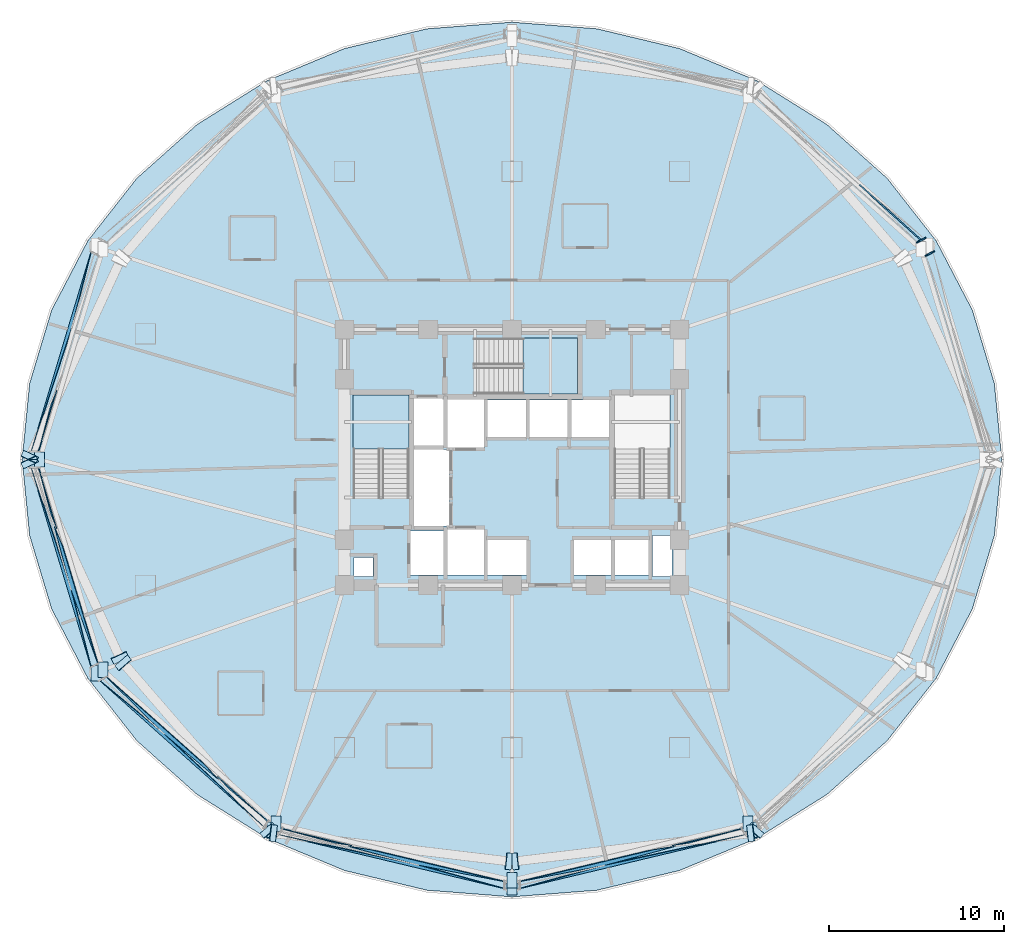
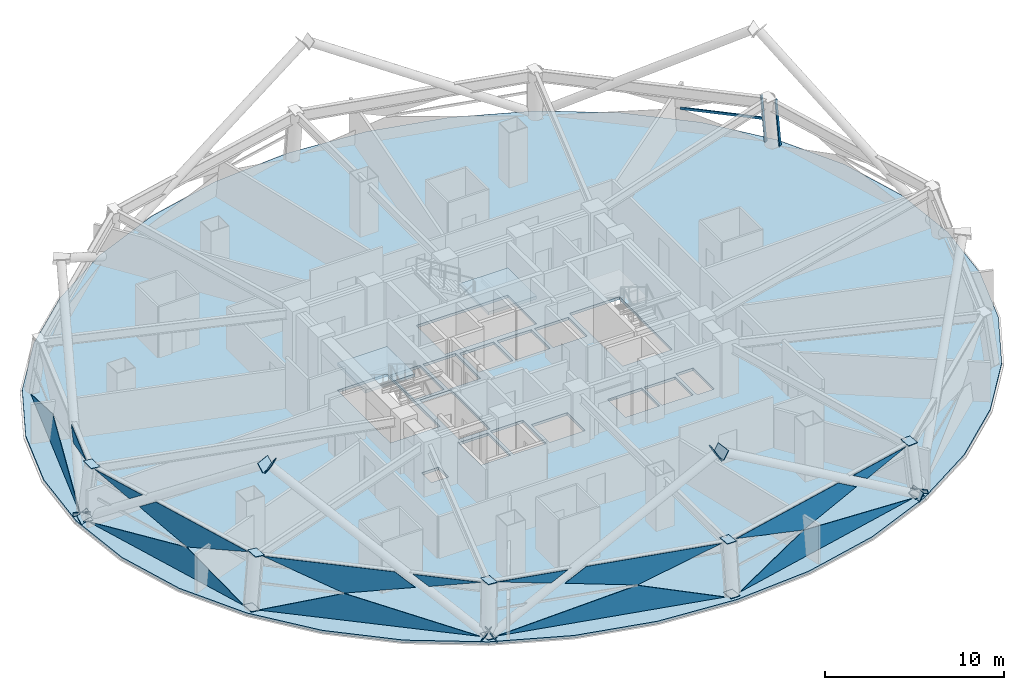
# One storey, part 3 of 13: 34 plates, 3 members, 3 slabs, 9 elements without a shape of their own.
"""IFC4 building model written with IfcOpenShell, lengths in metres."""

from ifc_helpers import new_model, si_unit, direction, frame, origin, origin_2d, place, context, subcontext, project, spatial, polyline, hollow_rectangle, outline, extrude, material, layer, layer_set, material_profile, profile_set, type_object, element, aggregate, save


model = new_model("IFC4")

# Units and contexts
model_context = context("Model", 3, precision=1e-05, world=origin(), true_north=direction((0.0, 1.0)))
body_context = subcontext(model_context, "Body", "Model", "MODEL_VIEW")
ifc_project = project(units=[si_unit("LENGTHUNIT", "METRE"), si_unit("AREAUNIT", "SQUARE_METRE"), si_unit("VOLUMEUNIT", "CUBIC_METRE"), si_unit("PLANEANGLEUNIT", "RADIAN"), si_unit("MASSUNIT", "GRAM", prefix="KILO")], contexts=[model_context])

# Site, building, storey
site_placement = place(None, origin())
site = spatial("IfcSite", under=ifc_project, at=site_placement, CompositionType="ELEMENT")
building_placement = place(site_placement, origin())
building = spatial("IfcBuilding", under=site, at=building_placement, Name="Vantalir Tower", CompositionType="ELEMENT")
storey_placement = place(building_placement, frame((0.0, 0.0, 87.0)))
storey = spatial("IfcBuildingStorey", under=building, at=storey_placement, Name="L21", CompositionType="ELEMENT", Elevation=87.0)

# Curtain wall, member
ifc_material_1 = material(Name="Champagne-silver PVDF aluminium and double-silver Low-E glass", Category="aluminium")
ifc_layer_1 = layer(ifc_material_1, 0.18994140625)
ifc_layer_set_1 = layer_set([ifc_layer_1], Name="Champagne-silver PVDF aluminium and double-silver Low-E glass")
curtain_wall_type = type_object("IfcCurtainWallType", Name="CW-DIAMOND-Z1", PredefinedType="USERDEFINED", material=ifc_layer_set_1)
curtain_wall_1_placement = place(storey_placement, origin())
curtain_wall_1 = element("IfcCurtainWall", 1, at=curtain_wall_1_placement, inside=storey, type_object=curtain_wall_type, Name="L21 Quilted Pyramid-Diamond Curtain Wall S01", ObjectType="UNITISED CURTAIN WALL", PredefinedType="USERDEFINED")
ifc_material_2 = material(Name="Champagne-silver PVDF aluminium 6063-T6", Category="aluminium")
ifc_material_profile_1 = material_profile(ifc_material_2, hollow_rectangle(XDim=0.074951171875, YDim=0.179931640625, WallThickness=0.00390625, at=origin_2d()), Name="Champagne-silver PVDF aluminium 6063-T6")
ifc_profile_set_1 = profile_set([ifc_material_profile_1], Name="Champagne-silver PVDF aluminium 6063-T6")
member_type_1 = type_object("IfcMemberType", Name="CWM-180x75", PredefinedType="MULLION", material=ifc_profile_set_1)
member_1_placement = place(storey_placement, frame((55.614990234375, 36.89208984375, 0.044921875), z_axis=(-0.113117738357, -0.058511623607, 0.991857231244), x_axis=(0.459438087235, -0.888209797288, 0.0)))
member_1 = element("IfcMember", 2, at=member_1_placement, type_object=member_type_1, Name="CW-L21-S01 Mullion 2", PredefinedType="MULLION", context=body_context, shape_type="SweptSolid", body=[
    extrude(hollow_rectangle(XDim=0.074951171875, YDim=0.179931640625, WallThickness=0.00390625, at=origin_2d()), origin(), (0.0, 0.0, 1.0), 3.438232421875),
])
aggregate(curtain_wall_1, [member_1])

# Curtain wall, members
curtain_wall_2_placement = place(storey_placement, origin())
curtain_wall_2 = element("IfcCurtainWall", 3, at=curtain_wall_2_placement, inside=storey, type_object=curtain_wall_type, Name="L21 Quilted Pyramid-Diamond Curtain Wall S02", ObjectType="UNITISED CURTAIN WALL", PredefinedType="USERDEFINED")
member_2_placement = place(storey_placement, frame((55.12890625, 37.655029296875, 0.044921875), z_axis=(-0.113118208064, -0.058440857022, 0.991861349804), x_axis=(0.458998041564, -0.888437278507, 0.0)))
member_2 = element("IfcMember", 4, at=member_2_placement, type_object=member_type_1, Name="CW-L21-S02 Mullion 1", PredefinedType="MULLION", context=body_context, shape_type="SweptSolid", body=[
    extrude(hollow_rectangle(XDim=0.074951171875, YDim=0.179931640625, WallThickness=0.00390625, at=origin_2d()), origin(), (0.0, 0.0, 1.0), 3.438232421875),
])
ifc_material_profile_2 = material_profile(ifc_material_2, hollow_rectangle(XDim=0.074951171875, YDim=0.159912109375, WallThickness=0.00390625, at=origin_2d()), Name="Champagne-silver PVDF aluminium 6063-T6")
ifc_profile_set_2 = profile_set([ifc_material_profile_2], Name="Champagne-silver PVDF aluminium 6063-T6")
member_type_2 = type_object("IfcMemberType", Name="CWT-160x75", PredefinedType="USERDEFINED", material=ifc_profile_set_2)
member_3_placement = place(storey_placement, frame((54.93505859375, 37.553955078125, 1.75), z_axis=(-0.743141011737, 0.669134841922, 0.0), x_axis=(-0.669134841922, -0.743141011737, 0.0)))
member_3 = element("IfcMember", 5, at=member_3_placement, type_object=member_type_2, Name="CW-L21-S02 Pyramid Fold Ridge Transom", ObjectType="TRANSOM", PredefinedType="USERDEFINED", context=body_context, shape_type="SweptSolid", body=[
    extrude(hollow_rectangle(XDim=0.074951171875, YDim=0.159912109375, WallThickness=0.00390625, at=origin_2d()), origin(), (0.0, 0.0, 1.0), 4.757080078125),
])
aggregate(curtain_wall_2, [member_2, member_3])

# Curtain wall, plates
curtain_wall_3_placement = place(storey_placement, origin())
curtain_wall_3 = element("IfcCurtainWall", 6, at=curtain_wall_3_placement, inside=storey, type_object=curtain_wall_type, Name="L21 Quilted Pyramid-Diamond Curtain Wall S06", ObjectType="UNITISED CURTAIN WALL", PredefinedType="USERDEFINED")
ifc_material_3 = material(Name="Double-silver Low-E laminated glass IGU", Category="glass")
ifc_layer_2 = layer(ifc_material_3, 0.028076171875)
ifc_layer_set_2 = layer_set([ifc_layer_2], Name="Double-silver Low-E laminated glass IGU")
plate_type_1 = type_object("IfcPlateType", Name="CWP-IGU-28", PredefinedType="CURTAIN_PANEL", material=ifc_layer_set_2)
plate_1_placement = place(storey_placement, frame((7.380615234375, 36.87744140625, 0.046630859375), z_axis=(-0.951694543297, 0.286088216018, 0.111494524148), x_axis=(-0.287885354607, -0.957664879894, -2.0485687e-05)))
plate_1 = element("IfcPlate", 7, at=plate_1_placement, type_object=plate_type_1, Name="CW-L21-S06 Pyramid Diamond Facet 1L", PredefinedType="CURTAIN_PANEL", context=body_context, shape_type="SweptSolid", body=[
    extrude(outline(polyline([(0.0, 0.0), (11.917619803242394, 1.3173056395698879e-17), (4.535012647213218, 1.7026030825594967), (0.0, 0.0)])), origin(), (0.0, 0.0, -1.0), 0.028076171875),
])
plate_2_placement = place(storey_placement, frame((5.41650390625, 28.958740234375, 3.4580078125), z_axis=(-0.94841804068, 0.285023705395, 0.138797361197), x_axis=(-0.287809470002, -0.957687688642, 0.0)))
plate_2 = element("IfcPlate", 8, at=plate_2_placement, type_object=plate_type_1, Name="CW-L21-S06 Pyramid Diamond Facet 2U Infill Light", PredefinedType="CURTAIN_PANEL", context=body_context, shape_type="SweptSolid", body=[
    extrude(outline(polyline([(0.0, 0.0), (3.6390855424019612, 0.0), (0.9025653346043232, -0.6446675991742541), (0.0, 0.0)])), origin(), (0.0, 0.0, -1.0), 0.028076171875),
])
aggregate(curtain_wall_3, [plate_1, plate_2])

curtain_wall_4_placement = place(storey_placement, origin())
curtain_wall_4 = element("IfcCurtainWall", 9, at=curtain_wall_4_placement, inside=storey, type_object=curtain_wall_type, Name="L21 Quilted Pyramid-Diamond Curtain Wall S07", ObjectType="UNITISED CURTAIN WALL", PredefinedType="USERDEFINED")
plate_3_placement = place(storey_placement, frame((3.94970703125, 24.53564453125, 0.04638671875), z_axis=(-0.951698171273, -0.286058709851, 0.111539254589), x_axis=(0.287857117969, -0.957673367707, 2.0483677e-05)))
plate_3 = element("IfcPlate", 10, at=plate_3_placement, type_object=plate_type_1, Name="CW-L21-S07 Pyramid Diamond Facet 1L", PredefinedType="CURTAIN_PANEL", context=body_context, shape_type="SweptSolid", body=[
    extrude(outline(polyline([(0.0, 0.0), (11.918788832934789, -2.4692704478357363e-17), (7.383069166251608, 1.70261168785727), (0.0, 0.0)])), origin(), (0.0, 0.0, -1.0), 0.028076171875),
])
plate_4_placement = place(storey_placement, frame((5.738525390625, 20.07958984375, 3.45361328125), z_axis=(-0.948379882263, -0.285025089156, 0.139055015984), x_axis=(0.287816614687, -0.957685540801, -3.5378082e-05)))
plate_4 = element("IfcPlate", 11, at=plate_4_placement, type_object=plate_type_1, Name="CW-L21-S07 Pyramid Diamond Facet 2U", PredefinedType="CURTAIN_PANEL", context=body_context, shape_type="SweptSolid", body=[
    extrude(outline(polyline([(0.0, 0.0), (7.05587867056228, 7.643625316022806e-18), (2.600807055639168, -1.7086467500808336), (-1.1538151887968047, -0.8242159529133234), (0.0, 0.0)])), origin(), (0.0, 0.0, -1.0), 0.028076171875),
])
plate_5_placement = place(storey_placement, frame((4.369140625, 24.5263671875, 3.4580078125), z_axis=(-0.94841998489, -0.285004324403, 0.138823871623), x_axis=(0.287790979439, -0.957693245331, 0.0)))
plate_5 = element("IfcPlate", 12, at=plate_5_placement, type_object=plate_type_1, Name="CW-L21-S07 Pyramid Diamond Facet 2U Infill Light", PredefinedType="CURTAIN_PANEL", context=body_context, shape_type="SweptSolid", body=[
    extrude(outline(polyline([(0.0, 0.0), (3.63931935355115, -2.7755575615628914e-17), (2.736755746710369, -0.6446700181186271), (0.0, 0.0)])), origin(), (0.0, 0.0, -1.0), 0.028076171875),
])
aggregate(curtain_wall_4, [plate_3, plate_4, plate_5])

curtain_wall_5_placement = place(storey_placement, origin())
curtain_wall_5 = element("IfcCurtainWall", 13, at=curtain_wall_5_placement, inside=storey, type_object=curtain_wall_type, Name="L21 Quilted Pyramid-Diamond Curtain Wall S08", ObjectType="UNITISED CURTAIN WALL", PredefinedType="USERDEFINED")
plate_6_placement = place(storey_placement, frame((7.882080078125, 12.33447265625, 0.04638671875), z_axis=(-0.661728088337, -0.742300073821, 0.105387558617), x_axis=(0.74645555828, -0.665435270435, -1.9364314e-05)))
plate_6 = element("IfcPlate", 14, at=plate_6_placement, type_object=plate_type_1, Name="CW-L21-S08 Pyramid Diamond Facet 1L", PredefinedType="CURTAIN_PANEL", context=body_context, shape_type="SweptSolid", body=[
    extrude(outline(polyline([(0.0, 0.0), (12.607760379185711, -6.299214622140781e-17), (4.82947051871769, 1.7019541307610007), (0.0, 0.0)])), origin(), (0.0, 0.0, -1.0), 0.028076171875),
])
plate_7_placement = place(storey_placement, frame((8.270751953125, 12.53515625, 3.45361328125), z_axis=(-0.65949795435, -0.739891201347, 0.13275337426), x_axis=(0.746498527554, -0.665387066569, 1.625589e-06)))
plate_7 = element("IfcPlate", 15, at=plate_7_placement, type_object=plate_type_1, Name="CW-L21-S08 Pyramid Diamond Facet 2U", PredefinedType="CURTAIN_PANEL", context=body_context, shape_type="SweptSolid", body=[
    extrude(outline(polyline([(0.0, 0.0), (7.51122322315995, 1.6653345369377348e-16), (8.692235599935616, -0.8177992631823398), (4.673059818588247, -1.7077373491954773), (0.0, 0.0)])), origin(), (0.0, 0.0, -1.0), 0.028076171875),
])
plate_8_placement = place(storey_placement, frame((14.630126953125, 6.82421875, 3.4580078125), z_axis=(-0.659544351118, -0.739884376691, 0.132560771113), x_axis=(0.746472082691, -0.665416733906, 0.0)))
plate_8 = element("IfcPlate", 16, at=plate_8_placement, type_object=plate_type_1, Name="CW-L21-S08 Pyramid Diamond Facet 2U Infill Light", PredefinedType="CURTAIN_PANEL", context=body_context, shape_type="SweptSolid", body=[
    extrude(outline(polyline([(0.0, 0.0), (3.8403301144429625, 0.0), (0.9300644032980999, -0.6441121012154375), (0.0, 0.0)])), origin(), (0.0, 0.0, -1.0), 0.028076171875),
])
aggregate(curtain_wall_5, [plate_6, plate_7, plate_8])

curtain_wall_6_placement = place(storey_placement, origin())
curtain_wall_6 = element("IfcCurtainWall", 17, at=curtain_wall_6_placement, inside=storey, type_object=curtain_wall_type, Name="L21 Quilted Pyramid-Diamond Curtain Wall S09", ObjectType="UNITISED CURTAIN WALL", PredefinedType="USERDEFINED")
plate_9_placement = place(storey_placement, frame((18.126708984375, 3.509521484375, 0.046142578125), z_axis=(-0.231166275065, -0.967747894721, 0.100130742208), x_axis=(0.972636513399, -0.232332116731, 1.840546e-05)))
plate_9 = element("IfcPlate", 18, at=plate_9_placement, type_object=plate_type_1, Name="CW-L21-S09 Pyramid Diamond Facet 1L", PredefinedType="CURTAIN_PANEL", context=body_context, shape_type="SweptSolid", body=[
    extrude(outline(polyline([(0.0, 0.0), (13.264576386342606, -6.776263578034403e-19), (8.215029670528716, 1.7012699850372826), (0.0, 0.0)])), origin(), (0.0, 0.0, -1.0), 0.028076171875),
])
plate_10_placement = place(storey_placement, frame((23.390380859375, 2.65380859375, 3.45361328125), z_axis=(-0.230402199618, -0.964684685814, 0.127664730321), x_axis=(0.972643457999, -0.232303042623, 3.5097e-08)))
plate_10 = element("IfcPlate", 19, at=plate_10_placement, type_object=plate_type_1, Name="CW-L21-S09 Pyramid Diamond Facet 2U", PredefinedType="CURTAIN_PANEL", context=body_context, shape_type="SweptSolid", body=[
    extrude(outline(polyline([(0.0, 0.0), (7.852763407708801, 0.0), (2.8964505979447095, -1.7065914428825775), (-1.2773340437156933, -0.8246183110278089), (0.0, 0.0)])), origin(), (0.0, 0.0, -1.0), 0.028076171875),
])
plate_11_placement = place(storey_placement, frame((18.34423828125, 3.826416015625, 3.457763671875), z_axis=(-0.230446347089, -0.964679766185, 0.127622215258), x_axis=(0.972633131039, -0.232346276933, 0.0)))
plate_11 = element("IfcPlate", 20, at=plate_11_placement, type_object=plate_type_1, Name="CW-L21-S09 Pyramid Diamond Facet 2U Infill Light", PredefinedType="CURTAIN_PANEL", context=body_context, shape_type="SweptSolid", body=[
    extrude(outline(polyline([(0.0, 0.0), (4.092717761291587, 0.0), (3.0836921235179138, -0.6515682038711462), (0.0, 0.0)])), origin(), (0.0, 0.0, -1.0), 0.028076171875),
])
aggregate(curtain_wall_6, [plate_9, plate_10, plate_11])

curtain_wall_7_placement = place(storey_placement, origin())
curtain_wall_7 = element("IfcCurtainWall", 21, at=curtain_wall_7_placement, inside=storey, type_object=curtain_wall_type, Name="L21 Quilted Pyramid-Diamond Curtain Wall S10", ObjectType="UNITISED CURTAIN WALL", PredefinedType="USERDEFINED")
plate_12_placement = place(storey_placement, frame((31.9716796875, 0.427734375, 0.04638671875), z_axis=(0.231166275065, -0.967747894721, 0.100130742208), x_axis=(0.972636513399, 0.232332116731, -1.840546e-05)))
plate_12 = element("IfcPlate", 22, at=plate_12_placement, type_object=plate_type_1, Name="CW-L21-S10 Pyramid Diamond Facet 1L", PredefinedType="CURTAIN_PANEL", context=body_context, shape_type="SweptSolid", body=[
    extrude(outline(polyline([(0.0, 0.0), (13.264576386342606, 6.776263578034403e-19), (5.04954671581389, 1.7012699850372828), (0.0, 0.0)])), origin(), (0.0, 0.0, -1.0), 0.028076171875),
])
plate_13_placement = place(storey_placement, frame((31.9716796875, 0.82958984375, 3.45361328125), z_axis=(0.230402199618, -0.964684685814, 0.127664730321), x_axis=(0.972643457999, 0.232303042623, -3.5097e-08)))
plate_13 = element("IfcPlate", 23, at=plate_13_placement, type_object=plate_type_1, Name="CW-L21-S10 Pyramid Diamond Facet 2U", PredefinedType="CURTAIN_PANEL", context=body_context, shape_type="SweptSolid", body=[
    extrude(outline(polyline([(0.0, 0.0), (7.852763407708801, 0.0), (9.130097451424493, -0.8246183110278089), (4.956312809764091, -1.7065914428825775), (0.0, 0.0)])), origin(), (0.0, 0.0, -1.0), 0.028076171875),
])
plate_14_placement = place(storey_placement, frame((40.675048828125, 2.87548828125, 3.457763671875), z_axis=(0.230446347089, -0.964679766185, 0.127622215258), x_axis=(0.972633131039, 0.232346276933, 0.0)))
plate_14 = element("IfcPlate", 24, at=plate_14_placement, type_object=plate_type_1, Name="CW-L21-S10 Pyramid Diamond Facet 2U Infill Light", PredefinedType="CURTAIN_PANEL", context=body_context, shape_type="SweptSolid", body=[
    extrude(outline(polyline([(0.0, 0.0), (4.092717761291587, 0.0), (1.0090256377736726, -0.6515682038711462), (0.0, 0.0)])), origin(), (0.0, 0.0, -1.0), 0.028076171875),
])
aggregate(curtain_wall_7, [plate_12, plate_13, plate_14])

# Plates
ifc_material_4 = material(Name="Steel S460", Category="steel")
ifc_layer_3 = layer(ifc_material_4, 0.0400390625)
ifc_layer_set_3 = layer_set([ifc_layer_3], Name="Steel S460")
plate_type_2 = type_object("IfcPlateType", Name="PLT-KN-Z1", PredefinedType="USERDEFINED", material=ifc_layer_set_3)
plate_15_placement = place(storey_placement, frame((3.53125, 24.470458984375, -0.04443359375), z_axis=(0.344062366162, -0.745749901625, 0.570506943356), x_axis=(0.908019553303, 0.418927787117, 0.0)))
element("IfcPlate", 25, at=plate_15_placement, inside=storey, type_object=plate_type_2, Name="Node Cap Plate MEM-DG-L21-R19L Start", ObjectType="FLANGE_PLATE", PredefinedType="USERDEFINED", context=body_context, shape_type="SweptSolid", body=[
    extrude(outline(polyline([(0.0, 0.0), (0.9499231872122853, 0.0), (0.9498553579163278, 0.6197950555687395), (-6.78292959573612e-05, 0.6197950555687395), (0.0, 0.0)])), origin(), (0.0, 0.0, -1.0), 0.0400390625),
])
plate_16_placement = place(storey_placement, frame((8.699951171875, 13.263671875, 8.528076171875), z_axis=(0.343969972302, -0.74588395037, 0.570387404081), x_axis=(0.908082405534, 0.418791527961, 2.9452574e-05)))
element("IfcPlate", 26, at=plate_16_placement, inside=storey, type_object=plate_type_2, Name="Node Cap Plate MEM-DG-L21-R19L End", ObjectType="FLANGE_PLATE", PredefinedType="USERDEFINED", context=body_context, shape_type="SweptSolid", body=[
    extrude(outline(polyline([(0.0, 0.0), (0.9501448759116249, 0.0), (0.950038986551092, 0.6199955748729302), (0.00021805447088655368, 0.6200637031088911), (0.0, 0.0)])), origin(), (0.0, 0.0, -1.0), 0.0400390625),
])
plate_17_placement = place(storey_placement, frame((4.393798828125, 25.131591796875, -0.04443359375), z_axis=(0.344062366162, 0.745749901625, 0.570506943356), x_axis=(-0.908019553303, 0.418927787117, 0.0)))
element("IfcPlate", 27, at=plate_17_placement, inside=storey, type_object=plate_type_2, Name="Node Cap Plate MEM-DG-L21-R19R Start", ObjectType="FLANGE_PLATE", PredefinedType="USERDEFINED", context=body_context, shape_type="SweptSolid", body=[
    extrude(outline(polyline([(0.0, 0.0), (0.9499231872122853, 0.0), (0.9499910165082426, 0.6197950555687395), (6.78292959573612e-05, 0.6197950555687395), (0.0, 0.0)])), origin(), (0.0, 0.0, -1.0), 0.0400390625),
])
for number, where, z_axis, x_axis, name in (
    (28, (17.954345703125, 3.10791015625, -0.060302734375), (0.839402646094, -0.100389340537, 0.534158382913), (0.118749929445, 0.99292419361, 0.0), "Node Cap Plate MEM-DG-L21-R25L Start"),
    (29, (31.4501953125, 1.49462890625, 8.527587890625), (0.839402646094, -0.100389340537, 0.534158382913), (0.118749929445, 0.99292419361, 0.0), "Node Cap Plate MEM-DG-L21-R25L End"),
):
    element("IfcPlate", number, at=place(storey_placement, frame(where, z_axis=z_axis, x_axis=x_axis)), inside=storey, type_object=plate_type_2, Name=name, ObjectType="FLANGE_PLATE", PredefinedType="USERDEFINED", context=body_context, shape_type="SweptSolid", body=[
        extrude(outline(polyline([(0.0, 0.0), (0.9498360906544084, -6.938893903907228e-18), (0.9498128094552318, 0.6200373556294201), (-2.3281199176630463e-05, 0.6200373556294201), (0.0, 0.0)])), origin(), (0.0, 0.0, -1.0), 0.0400390625),
    ])
plate_18_placement = place(storey_placement, frame((17.777099609375, 4.20703125, -0.04931640625), z_axis=(-0.542225405465, 0.626652019746, 0.559731056684), x_axis=(-0.756190331282, -0.654351725638, 4.5060047e-05)))
element("IfcPlate", 30, at=plate_18_placement, inside=storey, type_object=plate_type_2, Name="Node Cap Plate MEM-DG-L21-R25R Start", ObjectType="FLANGE_PLATE", PredefinedType="USERDEFINED", context=body_context, shape_type="SweptSolid", body=[
    extrude(outline(polyline([(0.0, 0.0), (0.950220212442014, 1.1102230246251565e-16), (0.9502851412428464, 0.6201147764191273), (0.0002246826400995131, 0.6202181061995179), (0.0, 0.0)])), origin(), (0.0, 0.0, -1.0), 0.0400390625),
])
plate_19_placement = place(storey_placement, frame((9.469482421875, 13.80712890625, 8.52783203125), z_axis=(-0.542223288122, 0.626666152906, 0.559717284547), x_axis=(-0.756201575999, -0.654338731037, 3.9002289e-05)))
element("IfcPlate", 31, at=plate_19_placement, inside=storey, type_object=plate_type_2, Name="Node Cap Plate MEM-DG-L21-R25R End", ObjectType="FLANGE_PLATE", PredefinedType="USERDEFINED", context=body_context, shape_type="SweptSolid", body=[
    extrude(outline(polyline([(0.0, 0.0), (0.9498758412621873, -5.551115123125783e-17), (0.94993169331419, 0.620114778488779), (-0.0001287674733876545, 0.6202041996653231), (0.0, 0.0)])), origin(), (0.0, 0.0, -1.0), 0.0400390625),
])
plate_20_placement = place(storey_placement, frame((45.94140625, 3.585205078125, -0.04931640625), z_axis=(0.542225405465, 0.626652019746, 0.559731056684), x_axis=(-0.756190331282, 0.654351725638, -4.5060047e-05)))
element("IfcPlate", 32, at=plate_20_placement, inside=storey, type_object=plate_type_2, Name="Node Cap Plate MEM-DG-L21-R31L Start", ObjectType="FLANGE_PLATE", PredefinedType="USERDEFINED", context=body_context, shape_type="SweptSolid", body=[
    extrude(outline(polyline([(0.0, 0.0), (0.950220212442014, -1.1102230246251565e-16), (0.9499955298019146, 0.6202181061995178), (-6.492880083234487e-05, 0.6201147764191273), (0.0, 0.0)])), origin(), (0.0, 0.0, -1.0), 0.0400390625),
])
for number, where, z_axis, x_axis, name in (
    (33, (44.932861328125, 4.051025390625, -0.060302734375), (-0.839402646094, -0.100389340537, 0.534158382913), (0.118749929445, -0.99292419361, 0.0), "Node Cap Plate MEM-DG-L21-R31R Start"),
    (34, (31.43701171875, 2.437744140625, 8.527587890625), (-0.839402646094, -0.100389340537, 0.534158382913), (0.118749929445, -0.99292419361, 0.0), "Node Cap Plate MEM-DG-L21-R31R End"),
):
    element("IfcPlate", number, at=place(storey_placement, frame(where, z_axis=z_axis, x_axis=x_axis)), inside=storey, type_object=plate_type_2, Name=name, ObjectType="FLANGE_PLATE", PredefinedType="USERDEFINED", context=body_context, shape_type="SweptSolid", body=[
        extrude(outline(polyline([(0.0, 0.0), (0.9498360906544084, 6.938893903907228e-18), (0.949859371853585, 0.6200373556294201), (2.3281199176630463e-05, 0.6200373556294201), (0.0, 0.0)])), origin(), (0.0, 0.0, -1.0), 0.0400390625),
    ])
ifc_layer_4 = layer(ifc_material_4, 0.035888671875)
ifc_layer_set_4 = layer_set([ifc_layer_4], Name="Steel S460")
plate_type_3 = type_object("IfcPlateType", Name="PLT-KN-Z2", PredefinedType="USERDEFINED", material=ifc_layer_set_4)
for number, where, z_axis, x_axis, name in (
    (35, (4.166015625, 25.43994140625, 3.564697265625), (0.127557239751, 0.0, 0.991831210735), (0.0, -1.0, 0.0), "L21 Ring Column Top Cap RC07"),
    (36, (3.71923828125, 25.43994140625, 0.089599609375), (0.127557239751, 0.0, 0.991831210735), (0.0, -1.0, 0.0), "L21 Ring Column Base Cap RC07"),
):
    element("IfcPlate", number, at=place(storey_placement, frame(where, z_axis=z_axis, x_axis=x_axis)), inside=storey, type_object=plate_type_3, Name=name, ObjectType="FLANGE_PLATE", PredefinedType="USERDEFINED", context=body_context, shape_type="SweptSolid", body=[
        extrude(outline(polyline([(0.0, 0.0), (0.8798828125, 0.0), (0.8798828125, 0.5799326601892297), (0.0, 0.5799326601892297), (0.0, 0.0)])), origin(), (0.0, 0.0, -1.0), 0.035888671875),
    ])
plate_21_placement = place(storey_placement, frame((7.788818359375, 13.395751953125, 3.53466796875), z_axis=(0.110678882562, 0.056930902338, 0.992224297885), x_axis=(1.5231846e-05, -0.99835808733, 0.057281142021)))
element("IfcPlate", 37, at=plate_21_placement, inside=storey, type_object=plate_type_3, Name="L21 Ring Column Top Cap RC08", ObjectType="FLANGE_PLATE", PredefinedType="USERDEFINED", context=body_context, shape_type="SweptSolid", body=[
    extrude(outline(polyline([(0.0, 0.0), (0.8801002616103945, 8.673617379884035e-19), (0.8801011587021744, 0.5799657926799681), (-1.3087562033824163e-05, 0.5799927697367712), (0.0, 0.0)])), origin(), (0.0, 0.0, -1.0), 0.035888671875),
])
plate_22_placement = place(storey_placement, frame((7.401611328125, 13.196044921875, 0.059326171875), z_axis=(0.110471317978, 0.057085430793, 0.9922385507), x_axis=(0.0, -0.998349133719, 0.057436984625)))
element("IfcPlate", 38, at=plate_22_placement, inside=storey, type_object=plate_type_3, Name="L21 Ring Column Base Cap RC08", ObjectType="FLANGE_PLATE", PredefinedType="USERDEFINED", context=body_context, shape_type="SweptSolid", body=[
    extrude(outline(polyline([(0.0, 0.0), (0.8798705173188023, 8.673617379884035e-19), (0.8798526332939248, 0.5799658050525033), (-1.788402487749429e-05, 0.5799658050525033), (0.0, 0.0)])), origin(), (0.0, 0.0, -1.0), 0.035888671875),
])
plate_23_placement = place(storey_placement, frame((17.6875, 4.577392578125, 3.502685546875), z_axis=(0.063895833504, 0.09883439935, 0.993050393468), x_axis=(0.0, -0.995083774087, 0.099036773724)))
element("IfcPlate", 39, at=plate_23_placement, inside=storey, type_object=plate_type_3, Name="L21 Ring Column Top Cap RC09", ObjectType="FLANGE_PLATE", PredefinedType="USERDEFINED", context=body_context, shape_type="SweptSolid", body=[
    extrude(outline(polyline([(0.0, 0.0), (0.8800589906904149, 8.673617379884035e-19), (0.8800520824333192, 0.5797980560003334), (-6.908257095720929e-06, 0.5797980560003335), (0.0, 0.0)])), origin(), (0.0, 0.0, -1.0), 0.035888671875),
])
plate_24_placement = place(storey_placement, frame((17.4638671875, 4.23193359375, 0.027587890625), z_axis=(0.063868995412, 0.098560426072, 0.993079349215), x_axis=(0.0, -0.995111076032, 0.098762069436)))
element("IfcPlate", 40, at=plate_24_placement, inside=storey, type_object=plate_type_3, Name="L21 Ring Column Base Cap RC09", ObjectType="FLANGE_PLATE", PredefinedType="USERDEFINED", context=body_context, shape_type="SweptSolid", body=[
    extrude(outline(polyline([(0.0, 0.0), (0.8800348453233581, 8.673617379884035e-19), (0.8800381640869384, 0.580041697983305), (3.318763580232014e-06, 0.580041697983305), (0.0, 0.0)])), origin(), (0.0, 0.0, -1.0), 0.035888671875),
])
plate_25_placement = place(storey_placement, frame((31.2099609375, 1.347412109375, 3.4775390625), z_axis=(0.0, 0.114297675864, 0.993446546771), x_axis=(0.0, -0.993446546771, 0.114297675864)))
element("IfcPlate", 41, at=plate_25_placement, inside=storey, type_object=plate_type_3, Name="L21 Ring Column Top Cap RC10", ObjectType="FLANGE_PLATE", PredefinedType="USERDEFINED", context=body_context, shape_type="SweptSolid", body=[
    extrude(outline(polyline([(0.0, 0.0), (0.8800348453233581, 0.0), (0.8800348453233581, 0.580078125), (0.0, 0.580078125), (0.0, 0.0)])), origin(), (0.0, 0.0, -1.0), 0.035888671875),
])
plate_26_placement = place(storey_placement, frame((31.2099609375, 0.9482421875, 0.00244140625), z_axis=(0.0, 0.114023865532, 0.993478010874), x_axis=(0.0, -0.993478010874, 0.114023865532)))
element("IfcPlate", 42, at=plate_26_placement, inside=storey, type_object=plate_type_3, Name="L21 Ring Column Base Cap RC10", ObjectType="FLANGE_PLATE", PredefinedType="USERDEFINED", context=body_context, shape_type="SweptSolid", body=[
    extrude(outline(polyline([(0.0, 0.0), (0.8800069740409202, 0.0), (0.8800069740409202, 0.580078125), (0.0, 0.580078125), (0.0, 0.0)])), origin(), (0.0, 0.0, -1.0), 0.035888671875),
])
plate_27_placement = place(storey_placement, frame((44.73388671875, 4.57373046875, 3.4658203125), z_axis=(-0.063895833504, 0.09883439935, 0.993050393468), x_axis=(0.0, -0.995083774087, 0.099036773724)))
element("IfcPlate", 43, at=plate_27_placement, inside=storey, type_object=plate_type_3, Name="L21 Ring Column Top Cap RC11", ObjectType="FLANGE_PLATE", PredefinedType="USERDEFINED", context=body_context, shape_type="SweptSolid", body=[
    extrude(outline(polyline([(0.0, 0.0), (0.8800589906904149, -8.673617379884035e-19), (0.8800658989475106, 0.5797980560003334), (6.908257095720929e-06, 0.5797980560003335), (0.0, 0.0)])), origin(), (0.0, 0.0, -1.0), 0.035888671875),
])
plate_28_placement = place(storey_placement, frame((44.957275390625, 4.228271484375, -0.00927734375), z_axis=(-0.063868995412, 0.098560426072, 0.993079349215), x_axis=(0.0, -0.995111076032, 0.098762069436)))
element("IfcPlate", 44, at=plate_28_placement, inside=storey, type_object=plate_type_3, Name="L21 Ring Column Base Cap RC11", ObjectType="FLANGE_PLATE", PredefinedType="USERDEFINED", context=body_context, shape_type="SweptSolid", body=[
    extrude(outline(polyline([(0.0, 0.0), (0.8800348453233581, -8.673617379884035e-19), (0.8800315265597779, 0.580041697983305), (-3.318763580232014e-06, 0.580041697983305), (0.0, 0.0)])), origin(), (0.0, 0.0, -1.0), 0.035888671875),
])

# Stair, slab
ifc_material_5 = material(Name="Concrete C40/50", Category="concrete")
stair_type = type_object("IfcStairType", Name="STR-CORE-1450", PredefinedType="HALF_TURN_STAIR", material=ifc_material_5)
stair_1_placement = place(storey_placement, origin())
stair_1 = element("IfcStair", 45, at=stair_1_placement, inside=storey, type_object=stair_type, Name="L21 Core Exit Stair 1", PredefinedType="HALF_TURN_STAIR")
ifc_layer_5 = layer(ifc_material_5, 0.199951171875)
ifc_layer_set_5 = layer_set([ifc_layer_5], Name="Concrete C40/50")
slab_type_1 = type_object("IfcSlabType", Name="SL-LAND-200", PredefinedType="LANDING", material=ifc_layer_set_5)
slab_1_placement = place(storey_placement, frame((0.0, 0.0, 1.675048828125)))
slab_1 = element("IfcSlab", 46, at=slab_1_placement, type_object=slab_type_1, Name="ST1 landing 1", PredefinedType="LANDING", context=body_context, shape_type="SweptSolid", body=[
    extrude(outline(polyline([(25.60009765625, 25.590087890625), (25.60009765625, 28.699951171875), (22.39990234375, 28.699951171875), (22.39990234375, 25.590087890625), (25.60009765625, 25.590087890625)])), origin(), (0.0, 0.0, 1.0), 0.199951171875),
])
aggregate(stair_1, [slab_1])

stair_2_placement = place(storey_placement, origin())
stair_2 = element("IfcStair", 47, at=stair_2_placement, inside=storey, type_object=stair_type, Name="L21 Core Exit Stair 3", PredefinedType="HALF_TURN_STAIR")
slab_2_placement = place(storey_placement, frame((0.0, 0.0, 1.675048828125)))
slab_2 = element("IfcSlab", 48, at=slab_2_placement, type_object=slab_type_1, Name="ST3 landing 1", PredefinedType="LANDING", context=body_context, shape_type="SweptSolid", body=[
    extrude(outline(polyline([(32.139892578125, 28.75), (35.25, 28.75), (35.25, 31.949951171875), (32.139892578125, 31.949951171875), (32.139892578125, 28.75)])), origin(), (0.0, 0.0, 1.0), 0.199951171875),
])
aggregate(stair_2, [slab_2])

# Slab
ifc_layer_6 = layer(ifc_material_5, 0.179931640625)
ifc_layer_set_6 = layer_set([ifc_layer_6], Name="Concrete C40/50")
slab_type_2 = type_object("IfcSlabType", Name="SL-TWR-180", PredefinedType="FLOOR", material=ifc_layer_set_6)
slab_3_placement = place(storey_placement, frame((0.0, 0.0, -0.179931640625)))
element("IfcSlab", 49, at=slab_3_placement, inside=storey, type_object=slab_type_2, Name="L21 Primary Structural Slab", PredefinedType="FLOOR", context=body_context, shape_type="SweptSolid", body=[
    extrude(outline(polyline([(7.2080078125, 12.47705078125), (10.011962890625, 8.90087890625), (13.469970703125, 5.81396484375), (17.47509765625, 3.31005859375), (21.906005859375, 1.465087890625), (26.62890625, 0.3349609375), (31.5, -0.044921875), (36.37109375, 0.3349609375), (41.093994140625, 1.465087890625), (45.52490234375, 3.31005859375), (49.530029296875, 5.81396484375), (52.988037109375, 8.90087890625), (55.7919921875, 12.47705078125), (57.85791015625, 16.43408203125), (59.1240234375, 20.65087890625), (59.550048828125, 25.0), (59.1240234375, 29.34912109375), (57.85791015625, 33.56591796875), (55.7919921875, 37.52197265625), (52.988037109375, 41.09912109375), (49.530029296875, 44.18603515625), (45.52490234375, 46.68994140625), (41.093994140625, 48.534912109375), (36.37109375, 49.6650390625), (31.5, 50.044921875), (26.62890625, 49.6650390625), (21.906005859375, 48.534912109375), (17.47509765625, 46.68994140625), (13.469970703125, 44.18603515625), (10.011962890625, 41.09912109375), (7.2080078125, 37.52197265625), (5.14208984375, 33.56591796875), (3.8759765625, 29.34912109375), (3.449951171875, 25.0), (3.8759765625, 20.65087890625), (5.14208984375, 16.43408203125), (7.2080078125, 12.47705078125)]), holes=[polyline([(22.39990234375, 22.7900390625), (22.39990234375, 28.699951171875), (25.60009765625, 28.699951171875), (25.60009765625, 22.7900390625), (22.39990234375, 22.7900390625)]), polyline([(37.35009765625, 28.699951171875), (40.550048828125, 28.699951171875), (40.550048828125, 22.7900390625), (37.35009765625, 22.7900390625), (37.35009765625, 28.699951171875)]), polyline([(35.25, 28.75), (29.340087890625, 28.75), (29.340087890625, 31.949951171875), (35.25, 31.949951171875), (35.25, 28.75)]), polyline([(27.60009765625, 18.39990234375), (25.699951171875, 18.39990234375), (25.699951171875, 20.89990234375), (27.60009765625, 20.89990234375), (27.60009765625, 18.39990234375)]), polyline([(25.699951171875, 25.800048828125), (25.699951171875, 28.5), (27.60009765625, 28.5), (27.60009765625, 25.800048828125), (25.699951171875, 25.800048828125)]), polyline([(27.800048828125, 21.0), (29.89990234375, 21.0), (29.89990234375, 18.39990234375), (27.800048828125, 18.39990234375), (27.800048828125, 21.0)]), polyline([(29.89990234375, 28.5), (29.89990234375, 25.699951171875), (27.800048828125, 25.699951171875), (27.800048828125, 28.5), (29.89990234375, 28.5)]), polyline([(32.39990234375, 18.39990234375), (30.10009765625, 18.39990234375), (30.10009765625, 20.39990234375), (32.39990234375, 20.39990234375), (32.39990234375, 18.39990234375)]), polyline([(37.35009765625, 18.39990234375), (37.35009765625, 20.39990234375), (39.35009765625, 20.39990234375), (39.35009765625, 18.39990234375), (37.35009765625, 18.39990234375)]), polyline([(35.0, 20.39990234375), (37.199951171875, 20.39990234375), (37.199951171875, 18.39990234375), (35.0, 18.39990234375), (35.0, 20.39990234375)]), polyline([(32.300048828125, 28.39990234375), (32.300048828125, 26.300048828125), (30.10009765625, 26.300048828125), (30.10009765625, 28.39990234375), (32.300048828125, 28.39990234375)]), polyline([(34.699951171875, 26.300048828125), (32.5, 26.300048828125), (32.5, 28.39990234375), (34.699951171875, 28.39990234375), (34.699951171875, 26.300048828125)]), polyline([(34.89990234375, 26.300048828125), (34.89990234375, 28.39990234375), (37.10009765625, 28.39990234375), (37.10009765625, 26.300048828125), (34.89990234375, 26.300048828125)]), polyline([(25.889892578125, 25.56005859375), (27.89990234375, 25.56005859375), (27.89990234375, 21.199951171875), (25.889892578125, 21.199951171875), (25.889892578125, 25.56005859375)]), polyline([(23.550048828125, 19.39990234375), (23.550048828125, 18.300048828125), (22.449951171875, 18.300048828125), (22.449951171875, 19.39990234375), (23.550048828125, 19.39990234375)]), polyline([(40.64990234375, 18.300048828125), (39.550048828125, 18.300048828125), (39.550048828125, 20.64990234375), (40.64990234375, 20.64990234375), (40.64990234375, 18.300048828125)])]), origin(), (0.0, 0.0, 1.0), 0.179931640625),
])

save(model, "model.ifc")
